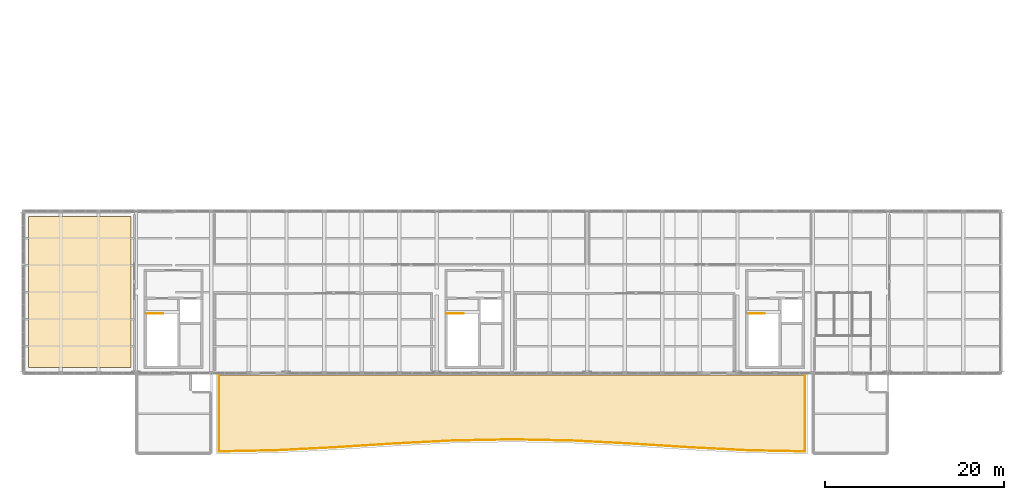
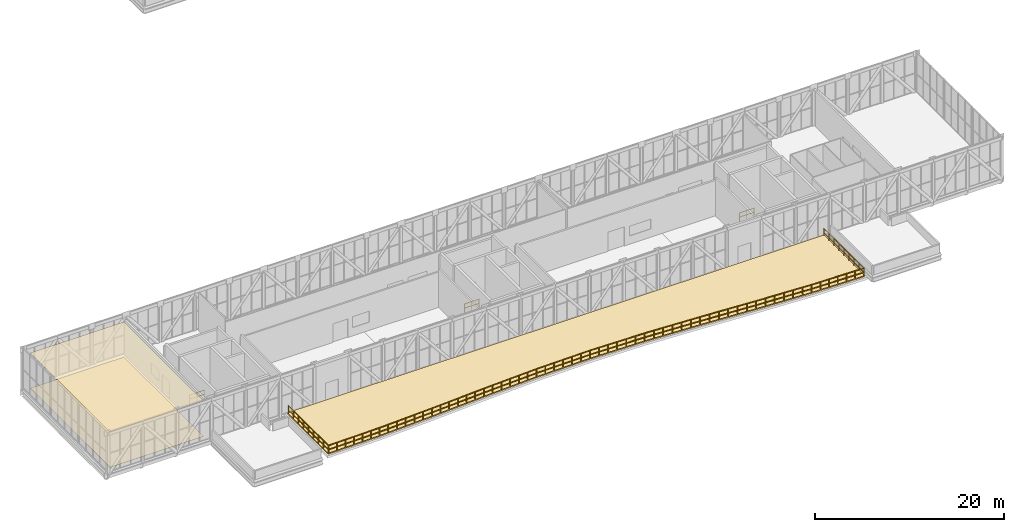
# One storey, part 58 of 58: 15 railings, 3 coverings.
"""IFC4 building model written with IfcOpenShell, lengths in metres."""

from ifc_helpers import new_model, si_unit, direction, frame, origin, origin_2d, place, context, subcontext, project, spatial, polyline, circle, outline, extrude, material, layer, layer_set, type_object, element, save


model = new_model("IFC4")

# Units and contexts
model_context = context("Model", 3, precision=1e-05, world=origin(), true_north=direction((0.0, 1.0)))
body_context = subcontext(model_context, "Body", "Model", "MODEL_VIEW")
ifc_project = project(units=[si_unit("LENGTHUNIT", "METRE"), si_unit("AREAUNIT", "SQUARE_METRE"), si_unit("VOLUMEUNIT", "CUBIC_METRE"), si_unit("PLANEANGLEUNIT", "RADIAN"), si_unit("MASSUNIT", "GRAM", prefix="KILO")], contexts=[model_context])

# Site, building, storey
site_placement = place(None, origin())
site = spatial("IfcSite", under=ifc_project, at=site_placement, CompositionType="ELEMENT")
building_placement = place(site_placement, origin())
building = spatial("IfcBuilding", under=site, at=building_placement, Name="Khurvash Pelagic Aquarium", CompositionType="ELEMENT")
storey_placement = place(building_placement, frame((0.0, 0.0, 24.60009765625)))
storey = spatial("IfcBuildingStorey", under=building, at=storey_placement, Name="L05", CompositionType="ELEMENT", Elevation=24.60009765625)

# Railings
ifc_material_1 = material(Name="Laminated glass and stainless steel 316", Category="steel")
railing_type_1 = type_object("IfcRailingType", Name="BL-01", PredefinedType="BALUSTRADE", material=ifc_material_1)
railing_1_placement = place(storey_placement, frame((99.919921875, 2.885986328125, 0.0)))
element("IfcRailing", 1, at=railing_1_placement, inside=storey, type_object=railing_type_1, Name="L05 Planted Terrace Perimeter Balustrade BL-01 0078", PredefinedType="BALUSTRADE", context=body_context, shape_type="SweptSolid", body=[
    extrude(circle(Radius=0.02392578125, at=origin_2d()), frame((0.0, 0.0, 1.076171875), z_axis=(-0.999809912237, 0.019497163698, 0.0), x_axis=(-0.019497163698, -0.999809912237, 0.0)), (0.0, 0.0, 1.0), 6.31103515625),
    extrude(circle(Radius=0.02392578125, at=origin_2d()), frame((0.0, 0.0, 0.5380859375), z_axis=(-0.999809912237, 0.019497163698, 0.0), x_axis=(-0.019497163698, -0.999809912237, 0.0)), (0.0, 0.0, 1.0), 6.31103515625),
    extrude(circle(Radius=0.02099609375, at=origin_2d()), origin(), (0.0, 0.0, 1.0), 1.052001953125),
    extrude(circle(Radius=0.02099609375, at=origin_2d()), frame((-1.0517578125, 0.0205078125, 0.0)), (0.0, 0.0, 1.0), 1.052001953125),
    extrude(circle(Radius=0.02099609375, at=origin_2d()), frame((-2.103271484375, 0.041015625, 0.0)), (0.0, 0.0, 1.0), 1.052001953125),
    extrude(circle(Radius=0.02099609375, at=origin_2d()), frame((-3.15478515625, 0.0615234375, 0.0)), (0.0, 0.0, 1.0), 1.052001953125),
    extrude(circle(Radius=0.02099609375, at=origin_2d()), frame((-4.20654296875, 0.08203125, 0.0)), (0.0, 0.0, 1.0), 1.052001953125),
    extrude(circle(Radius=0.02099609375, at=origin_2d()), frame((-5.25830078125, 0.1025390625, 0.0)), (0.0, 0.0, 1.0), 1.052001953125),
    extrude(circle(Radius=0.02099609375, at=origin_2d()), frame((-6.309814453125, 0.123046875, 0.0)), (0.0, 0.0, 1.0), 1.052001953125),
])
railing_2_placement = place(storey_placement, frame((93.610107421875, 3.009033203125, 0.0)))
element("IfcRailing", 2, at=railing_2_placement, inside=storey, type_object=railing_type_1, Name="L05 Planted Terrace Perimeter Balustrade BL-01 0079", PredefinedType="BALUSTRADE", context=body_context, shape_type="SweptSolid", body=[
    extrude(circle(Radius=0.02392578125, at=origin_2d()), frame((0.0, 0.0, 1.076171875), z_axis=(-0.998697247682, 0.05102751682, 0.0), x_axis=(-0.05102751682, -0.998697247682, 0.0)), (0.0, 0.0, 1.0), 6.6025390625),
    extrude(circle(Radius=0.02392578125, at=origin_2d()), frame((0.0, 0.0, 0.5380859375), z_axis=(-0.998697247682, 0.05102751682, 0.0), x_axis=(-0.05102751682, -0.998697247682, 0.0)), (0.0, 0.0, 1.0), 6.6025390625),
    extrude(circle(Radius=0.02099609375, at=origin_2d()), origin(), (0.0, 0.0, 1.0), 1.052001953125),
    extrude(circle(Radius=0.02099609375, at=origin_2d()), frame((-1.09912109375, 0.05615234375, 0.0)), (0.0, 0.0, 1.0), 1.052001953125),
    extrude(circle(Radius=0.02099609375, at=origin_2d()), frame((-2.197998046875, 0.1123046875, 0.0)), (0.0, 0.0, 1.0), 1.052001953125),
    extrude(circle(Radius=0.02099609375, at=origin_2d()), frame((-3.296875, 0.16845703125, 0.0)), (0.0, 0.0, 1.0), 1.052001953125),
    extrude(circle(Radius=0.02099609375, at=origin_2d()), frame((-4.39599609375, 0.224609375, 0.0)), (0.0, 0.0, 1.0), 1.052001953125),
    extrude(circle(Radius=0.02099609375, at=origin_2d()), frame((-5.4951171875, 0.28076171875, 0.0)), (0.0, 0.0, 1.0), 1.052001953125),
    extrude(circle(Radius=0.02099609375, at=origin_2d()), frame((-6.593994140625, 0.3369140625, 0.0)), (0.0, 0.0, 1.0), 1.052001953125),
])
railing_3_placement = place(storey_placement, frame((87.01611328125, 3.345947265625, 0.0)))
element("IfcRailing", 3, at=railing_3_placement, inside=storey, type_object=railing_type_1, Name="L05 Planted Terrace Perimeter Balustrade BL-01 0080", PredefinedType="BALUSTRADE", context=body_context, shape_type="SweptSolid", body=[
    extrude(circle(Radius=0.02392578125, at=origin_2d()), frame((0.0, 0.0, 1.076171875), z_axis=(-0.998008943307, 0.063072569939, 0.0), x_axis=(-0.063072569939, -0.998008943307, 0.0)), (0.0, 0.0, 1.0), 6.611328125),
    extrude(circle(Radius=0.02392578125, at=origin_2d()), frame((0.0, 0.0, 0.5380859375), z_axis=(-0.998008943307, 0.063072569939, 0.0), x_axis=(-0.063072569939, -0.998008943307, 0.0)), (0.0, 0.0, 1.0), 6.611328125),
    extrude(circle(Radius=0.02099609375, at=origin_2d()), origin(), (0.0, 0.0, 1.0), 1.052001953125),
    extrude(circle(Radius=0.02099609375, at=origin_2d()), frame((-1.099609375, 0.069580078125, 0.0)), (0.0, 0.0, 1.0), 1.052001953125),
    extrude(circle(Radius=0.02099609375, at=origin_2d()), frame((-2.199462890625, 0.138916015625, 0.0)), (0.0, 0.0, 1.0), 1.052001953125),
    extrude(circle(Radius=0.02099609375, at=origin_2d()), frame((-3.299072265625, 0.20849609375, 0.0)), (0.0, 0.0, 1.0), 1.052001953125),
    extrude(circle(Radius=0.02099609375, at=origin_2d()), frame((-4.398681640625, 0.278076171875, 0.0)), (0.0, 0.0, 1.0), 1.052001953125),
    extrude(circle(Radius=0.02099609375, at=origin_2d()), frame((-5.49853515625, 0.347412109375, 0.0)), (0.0, 0.0, 1.0), 1.052001953125),
    extrude(circle(Radius=0.02099609375, at=origin_2d()), frame((-6.59814453125, 0.4169921875, 0.0)), (0.0, 0.0, 1.0), 1.052001953125),
])
railing_4_placement = place(storey_placement, frame((80.4140625, 3.763916015625, 0.0)))
element("IfcRailing", 4, at=railing_4_placement, inside=storey, type_object=railing_type_1, Name="L05 Planted Terrace Perimeter Balustrade BL-01 0081", PredefinedType="BALUSTRADE", context=body_context, shape_type="SweptSolid", body=[
    extrude(circle(Radius=0.02392578125, at=origin_2d()), frame((0.0, 0.0, 1.076171875), z_axis=(-0.998697769777, 0.05101729748, 0.0), x_axis=(-0.05101729748, -0.998697769777, 0.0)), (0.0, 0.0, 1.0), 6.608642578125),
    extrude(circle(Radius=0.02392578125, at=origin_2d()), frame((0.0, 0.0, 0.5380859375), z_axis=(-0.998697769777, 0.05101729748, 0.0), x_axis=(-0.05101729748, -0.998697769777, 0.0)), (0.0, 0.0, 1.0), 6.608642578125),
    extrude(circle(Radius=0.02099609375, at=origin_2d()), origin(), (0.0, 0.0, 1.0), 1.052001953125),
    extrude(circle(Radius=0.02099609375, at=origin_2d()), frame((-1.10009765625, 0.05615234375, 0.0)), (0.0, 0.0, 1.0), 1.052001953125),
    extrude(circle(Radius=0.02099609375, at=origin_2d()), frame((-2.199951171875, 0.1123046875, 0.0)), (0.0, 0.0, 1.0), 1.052001953125),
    extrude(circle(Radius=0.02099609375, at=origin_2d()), frame((-3.300048828125, 0.16845703125, 0.0)), (0.0, 0.0, 1.0), 1.052001953125),
    extrude(circle(Radius=0.02099609375, at=origin_2d()), frame((-4.400146484375, 0.224853515625, 0.0)), (0.0, 0.0, 1.0), 1.052001953125),
    extrude(circle(Radius=0.02099609375, at=origin_2d()), frame((-5.5, 0.281005859375, 0.0)), (0.0, 0.0, 1.0), 1.052001953125),
    extrude(circle(Radius=0.02099609375, at=origin_2d()), frame((-6.60009765625, 0.337158203125, 0.0)), (0.0, 0.0, 1.0), 1.052001953125),
])
railing_5_placement = place(storey_placement, frame((73.804931640625, 4.10107421875, 0.0)))
element("IfcRailing", 5, at=railing_5_placement, inside=storey, type_object=railing_type_1, Name="L05 Planted Terrace Perimeter Balustrade BL-01 0082", PredefinedType="BALUSTRADE", context=body_context, shape_type="SweptSolid", body=[
    extrude(circle(Radius=0.02392578125, at=origin_2d()), frame((0.0, 0.0, 1.076171875), z_axis=(-0.999809311227, 0.019527959025, 0.0), x_axis=(-0.019527959025, -0.999809311227, 0.0)), (0.0, 0.0, 1.0), 6.60107421875),
    extrude(circle(Radius=0.02392578125, at=origin_2d()), frame((0.0, 0.0, 0.5380859375), z_axis=(-0.999809311227, 0.019527959025, 0.0), x_axis=(-0.019527959025, -0.999809311227, 0.0)), (0.0, 0.0, 1.0), 6.60107421875),
    extrude(circle(Radius=0.02099609375, at=origin_2d()), origin(), (0.0, 0.0, 1.0), 1.052001953125),
    extrude(circle(Radius=0.02099609375, at=origin_2d()), frame((-1.10009765625, 0.021484375, 0.0)), (0.0, 0.0, 1.0), 1.052001953125),
    extrude(circle(Radius=0.02099609375, at=origin_2d()), frame((-2.199951171875, 0.04296875, 0.0)), (0.0, 0.0, 1.0), 1.052001953125),
    extrude(circle(Radius=0.02099609375, at=origin_2d()), frame((-3.2998046875, 0.064453125, 0.0)), (0.0, 0.0, 1.0), 1.052001953125),
    extrude(circle(Radius=0.02099609375, at=origin_2d()), frame((-4.39990234375, 0.0859375, 0.0)), (0.0, 0.0, 1.0), 1.052001953125),
    extrude(circle(Radius=0.02099609375, at=origin_2d()), frame((-5.5, 0.107421875, 0.0)), (0.0, 0.0, 1.0), 1.052001953125),
    extrude(circle(Radius=0.02099609375, at=origin_2d()), frame((-6.599853515625, 0.12890625, 0.0)), (0.0, 0.0, 1.0), 1.052001953125),
])
railing_6_placement = place(storey_placement, frame((67.195068359375, 4.22998046875, 0.0)))
element("IfcRailing", 6, at=railing_6_placement, inside=storey, type_object=railing_type_1, Name="L05 Planted Terrace Perimeter Balustrade BL-01 0083", PredefinedType="BALUSTRADE", context=body_context, shape_type="SweptSolid", body=[
    extrude(circle(Radius=0.02392578125, at=origin_2d()), frame((0.0, 0.0, 1.076171875), z_axis=(-0.99980932533, -0.019527236953, 0.0), x_axis=(0.019527236953, -0.99980932533, 0.0)), (0.0, 0.0, 1.0), 6.601318359375),
    extrude(circle(Radius=0.02392578125, at=origin_2d()), frame((0.0, 0.0, 0.5380859375), z_axis=(-0.99980932533, -0.019527236953, 0.0), x_axis=(0.019527236953, -0.99980932533, 0.0)), (0.0, 0.0, 1.0), 6.601318359375),
    extrude(circle(Radius=0.02099609375, at=origin_2d()), origin(), (0.0, 0.0, 1.0), 1.052001953125),
    extrude(circle(Radius=0.02099609375, at=origin_2d()), frame((-1.10009765625, -0.021484375, 0.0)), (0.0, 0.0, 1.0), 1.052001953125),
    extrude(circle(Radius=0.02099609375, at=origin_2d()), frame((-2.199951171875, -0.04296875, 0.0)), (0.0, 0.0, 1.0), 1.052001953125),
    extrude(circle(Radius=0.02099609375, at=origin_2d()), frame((-3.300048828125, -0.064453125, 0.0)), (0.0, 0.0, 1.0), 1.052001953125),
    extrude(circle(Radius=0.02099609375, at=origin_2d()), frame((-4.400146484375, -0.0859375, 0.0)), (0.0, 0.0, 1.0), 1.052001953125),
    extrude(circle(Radius=0.02099609375, at=origin_2d()), frame((-5.5, -0.107421875, 0.0)), (0.0, 0.0, 1.0), 1.052001953125),
    extrude(circle(Radius=0.02099609375, at=origin_2d()), frame((-6.60009765625, -0.12890625, 0.0)), (0.0, 0.0, 1.0), 1.052001953125),
])
railing_7_placement = place(storey_placement, frame((60.5859375, 4.10107421875, 0.0)))
element("IfcRailing", 7, at=railing_7_placement, inside=storey, type_object=railing_type_1, Name="L05 Planted Terrace Perimeter Balustrade BL-01 0084", PredefinedType="BALUSTRADE", context=body_context, shape_type="SweptSolid", body=[
    extrude(circle(Radius=0.02392578125, at=origin_2d()), frame((0.0, 0.0, 1.076171875), z_axis=(-0.99869767362, -0.05101917979, 0.0), x_axis=(0.05101917979, -0.99869767362, 0.0)), (0.0, 0.0, 1.0), 6.6083984375),
    extrude(circle(Radius=0.02392578125, at=origin_2d()), frame((0.0, 0.0, 0.5380859375), z_axis=(-0.99869767362, -0.05101917979, 0.0), x_axis=(0.05101917979, -0.99869767362, 0.0)), (0.0, 0.0, 1.0), 6.6083984375),
    extrude(circle(Radius=0.02099609375, at=origin_2d()), origin(), (0.0, 0.0, 1.0), 1.052001953125),
    extrude(circle(Radius=0.02099609375, at=origin_2d()), frame((-1.10009765625, -0.05615234375, 0.0)), (0.0, 0.0, 1.0), 1.052001953125),
    extrude(circle(Radius=0.02099609375, at=origin_2d()), frame((-2.199951171875, -0.1123046875, 0.0)), (0.0, 0.0, 1.0), 1.052001953125),
    extrude(circle(Radius=0.02099609375, at=origin_2d()), frame((-3.2998046875, -0.16845703125, 0.0)), (0.0, 0.0, 1.0), 1.052001953125),
    extrude(circle(Radius=0.02099609375, at=origin_2d()), frame((-4.39990234375, -0.224853515625, 0.0)), (0.0, 0.0, 1.0), 1.052001953125),
    extrude(circle(Radius=0.02099609375, at=origin_2d()), frame((-5.5, -0.281005859375, 0.0)), (0.0, 0.0, 1.0), 1.052001953125),
    extrude(circle(Radius=0.02099609375, at=origin_2d()), frame((-6.599853515625, -0.337158203125, 0.0)), (0.0, 0.0, 1.0), 1.052001953125),
])
railing_8_placement = place(storey_placement, frame((53.98193359375, 3.762939453125, 0.0)))
element("IfcRailing", 8, at=railing_8_placement, inside=storey, type_object=railing_type_1, Name="L05 Planted Terrace Perimeter Balustrade BL-01 0085", PredefinedType="BALUSTRADE", context=body_context, shape_type="SweptSolid", body=[
    extrude(circle(Radius=0.02392578125, at=origin_2d()), frame((0.0, 0.0, 1.076171875), z_axis=(-0.998008796395, -0.063074894514, 0.0), x_axis=(0.063074894514, -0.998008796395, 0.0)), (0.0, 0.0, 1.0), 6.611083984375),
    extrude(circle(Radius=0.02392578125, at=origin_2d()), frame((0.0, 0.0, 0.5380859375), z_axis=(-0.998008796395, -0.063074894514, 0.0), x_axis=(0.063074894514, -0.998008796395, 0.0)), (0.0, 0.0, 1.0), 6.611083984375),
    extrude(circle(Radius=0.02099609375, at=origin_2d()), origin(), (0.0, 0.0, 1.0), 1.052001953125),
    extrude(circle(Radius=0.02099609375, at=origin_2d()), frame((-1.099609375, -0.069580078125, 0.0)), (0.0, 0.0, 1.0), 1.052001953125),
    extrude(circle(Radius=0.02099609375, at=origin_2d()), frame((-2.19921875, -0.138916015625, 0.0)), (0.0, 0.0, 1.0), 1.052001953125),
    extrude(circle(Radius=0.02099609375, at=origin_2d()), frame((-3.298828125, -0.20849609375, 0.0)), (0.0, 0.0, 1.0), 1.052001953125),
    extrude(circle(Radius=0.02099609375, at=origin_2d()), frame((-4.398681640625, -0.278076171875, 0.0)), (0.0, 0.0, 1.0), 1.052001953125),
    extrude(circle(Radius=0.02099609375, at=origin_2d()), frame((-5.498291015625, -0.347412109375, 0.0)), (0.0, 0.0, 1.0), 1.052001953125),
    extrude(circle(Radius=0.02099609375, at=origin_2d()), frame((-6.597900390625, -0.4169921875, 0.0)), (0.0, 0.0, 1.0), 1.052001953125),
])
railing_9_placement = place(storey_placement, frame((47.384033203125, 3.345947265625, 0.0)))
element("IfcRailing", 9, at=railing_9_placement, inside=storey, type_object=railing_type_1, Name="L05 Planted Terrace Perimeter Balustrade BL-01 0086", PredefinedType="BALUSTRADE", context=body_context, shape_type="SweptSolid", body=[
    extrude(circle(Radius=0.02392578125, at=origin_2d()), frame((0.0, 0.0, 1.076171875), z_axis=(-0.998697247682, -0.05102751682, 0.0), x_axis=(0.05102751682, -0.998697247682, 0.0)), (0.0, 0.0, 1.0), 6.6025390625),
    extrude(circle(Radius=0.02392578125, at=origin_2d()), frame((0.0, 0.0, 0.5380859375), z_axis=(-0.998697247682, -0.05102751682, 0.0), x_axis=(0.05102751682, -0.998697247682, 0.0)), (0.0, 0.0, 1.0), 6.6025390625),
    extrude(circle(Radius=0.02099609375, at=origin_2d()), origin(), (0.0, 0.0, 1.0), 1.052001953125),
    extrude(circle(Radius=0.02099609375, at=origin_2d()), frame((-1.09912109375, -0.05615234375, 0.0)), (0.0, 0.0, 1.0), 1.052001953125),
    extrude(circle(Radius=0.02099609375, at=origin_2d()), frame((-2.197998046875, -0.1123046875, 0.0)), (0.0, 0.0, 1.0), 1.052001953125),
    extrude(circle(Radius=0.02099609375, at=origin_2d()), frame((-3.296875, -0.16845703125, 0.0)), (0.0, 0.0, 1.0), 1.052001953125),
    extrude(circle(Radius=0.02099609375, at=origin_2d()), frame((-4.39599609375, -0.224609375, 0.0)), (0.0, 0.0, 1.0), 1.052001953125),
    extrude(circle(Radius=0.02099609375, at=origin_2d()), frame((-5.4951171875, -0.28076171875, 0.0)), (0.0, 0.0, 1.0), 1.052001953125),
    extrude(circle(Radius=0.02099609375, at=origin_2d()), frame((-6.593994140625, -0.3369140625, 0.0)), (0.0, 0.0, 1.0), 1.052001953125),
])
railing_10_placement = place(storey_placement, frame((40.7900390625, 3.009033203125, 0.0)))
element("IfcRailing", 10, at=railing_10_placement, inside=storey, type_object=railing_type_1, Name="L05 Planted Terrace Perimeter Balustrade BL-01 0087", PredefinedType="BALUSTRADE", context=body_context, shape_type="SweptSolid", body=[
    extrude(circle(Radius=0.02392578125, at=origin_2d()), frame((0.0, 0.0, 1.076171875), z_axis=(-0.999809926942, -0.019496409625, 0.0), x_axis=(0.019496409625, -0.999809926942, 0.0)), (0.0, 0.0, 1.0), 6.311279296875),
    extrude(circle(Radius=0.02392578125, at=origin_2d()), frame((0.0, 0.0, 0.5380859375), z_axis=(-0.999809926942, -0.019496409625, 0.0), x_axis=(0.019496409625, -0.999809926942, 0.0)), (0.0, 0.0, 1.0), 6.311279296875),
    extrude(circle(Radius=0.02099609375, at=origin_2d()), origin(), (0.0, 0.0, 1.0), 1.052001953125),
    extrude(circle(Radius=0.02099609375, at=origin_2d()), frame((-1.0517578125, -0.0205078125, 0.0)), (0.0, 0.0, 1.0), 1.052001953125),
    extrude(circle(Radius=0.02099609375, at=origin_2d()), frame((-2.103271484375, -0.041015625, 0.0)), (0.0, 0.0, 1.0), 1.052001953125),
    extrude(circle(Radius=0.02099609375, at=origin_2d()), frame((-3.155029296875, -0.0615234375, 0.0)), (0.0, 0.0, 1.0), 1.052001953125),
    extrude(circle(Radius=0.02099609375, at=origin_2d()), frame((-4.206787109375, -0.08203125, 0.0)), (0.0, 0.0, 1.0), 1.052001953125),
    extrude(circle(Radius=0.02099609375, at=origin_2d()), frame((-5.25830078125, -0.1025390625, 0.0)), (0.0, 0.0, 1.0), 1.052001953125),
    extrude(circle(Radius=0.02099609375, at=origin_2d()), frame((-6.31005859375, -0.123046875, 0.0)), (0.0, 0.0, 1.0), 1.052001953125),
])
railing_11_placement = place(storey_placement, frame((34.47998046875, 2.885986328125, 0.0)))
element("IfcRailing", 11, at=railing_11_placement, inside=storey, type_object=railing_type_1, Name="L05 Planted Terrace Perimeter Balustrade BL-01 0088", PredefinedType="BALUSTRADE", context=body_context, shape_type="SweptSolid", body=[
    extrude(circle(Radius=0.02392578125, at=origin_2d()), frame((0.0, 0.0, 1.076171875), z_axis=(0.0, 1.0, 0.0), x_axis=(-1.0, 0.0, 0.0)), (0.0, 0.0, 1.0), 8.484130859375),
    extrude(circle(Radius=0.02392578125, at=origin_2d()), frame((0.0, 0.0, 0.5380859375), z_axis=(0.0, 1.0, 0.0), x_axis=(-1.0, 0.0, 0.0)), (0.0, 0.0, 1.0), 8.484130859375),
    extrude(circle(Radius=0.02099609375, at=origin_2d()), origin(), (0.0, 0.0, 1.0), 1.052001953125),
    extrude(circle(Radius=0.02099609375, at=origin_2d()), frame((0.0, 1.060546875, 0.0)), (0.0, 0.0, 1.0), 1.052001953125),
    extrude(circle(Radius=0.02099609375, at=origin_2d()), frame((0.0, 2.12109375, 0.0)), (0.0, 0.0, 1.0), 1.052001953125),
    extrude(circle(Radius=0.02099609375, at=origin_2d()), frame((0.0, 3.181640625, 0.0)), (0.0, 0.0, 1.0), 1.052001953125),
    extrude(circle(Radius=0.02099609375, at=origin_2d()), frame((0.0, 4.2421875, 0.0)), (0.0, 0.0, 1.0), 1.052001953125),
    extrude(circle(Radius=0.02099609375, at=origin_2d()), frame((0.0, 5.302490234375, 0.0)), (0.0, 0.0, 1.0), 1.052001953125),
    extrude(circle(Radius=0.02099609375, at=origin_2d()), frame((0.0, 6.363037109375, 0.0)), (0.0, 0.0, 1.0), 1.052001953125),
    extrude(circle(Radius=0.02099609375, at=origin_2d()), frame((0.0, 7.423583984375, 0.0)), (0.0, 0.0, 1.0), 1.052001953125),
    extrude(circle(Radius=0.02099609375, at=origin_2d()), frame((0.0, 8.484130859375, 0.0)), (0.0, 0.0, 1.0), 1.052001953125),
])
railing_12_placement = place(storey_placement, frame((99.919921875, 11.3701171875, 0.0)))
element("IfcRailing", 12, at=railing_12_placement, inside=storey, type_object=railing_type_1, Name="L05 Planted Terrace Perimeter Balustrade BL-01 0089", PredefinedType="BALUSTRADE", context=body_context, shape_type="SweptSolid", body=[
    extrude(circle(Radius=0.02392578125, at=origin_2d()), frame((0.0, 0.0, 1.076171875), z_axis=(0.0, -1.0, 0.0), x_axis=(1.0, 0.0, 0.0)), (0.0, 0.0, 1.0), 8.484130859375),
    extrude(circle(Radius=0.02392578125, at=origin_2d()), frame((0.0, 0.0, 0.5380859375), z_axis=(0.0, -1.0, 0.0), x_axis=(1.0, 0.0, 0.0)), (0.0, 0.0, 1.0), 8.484130859375),
    extrude(circle(Radius=0.02099609375, at=origin_2d()), origin(), (0.0, 0.0, 1.0), 1.052001953125),
    extrude(circle(Radius=0.02099609375, at=origin_2d()), frame((0.0, -1.060546875, 0.0)), (0.0, 0.0, 1.0), 1.052001953125),
    extrude(circle(Radius=0.02099609375, at=origin_2d()), frame((0.0, -2.12109375, 0.0)), (0.0, 0.0, 1.0), 1.052001953125),
    extrude(circle(Radius=0.02099609375, at=origin_2d()), frame((0.0, -3.181640625, 0.0)), (0.0, 0.0, 1.0), 1.052001953125),
    extrude(circle(Radius=0.02099609375, at=origin_2d()), frame((0.0, -4.2421875, 0.0)), (0.0, 0.0, 1.0), 1.052001953125),
    extrude(circle(Radius=0.02099609375, at=origin_2d()), frame((0.0, -5.302490234375, 0.0)), (0.0, 0.0, 1.0), 1.052001953125),
    extrude(circle(Radius=0.02099609375, at=origin_2d()), frame((0.0, -6.363037109375, 0.0)), (0.0, 0.0, 1.0), 1.052001953125),
    extrude(circle(Radius=0.02099609375, at=origin_2d()), frame((0.0, -7.423583984375, 0.0)), (0.0, 0.0, 1.0), 1.052001953125),
    extrude(circle(Radius=0.02099609375, at=origin_2d()), frame((0.0, -8.484130859375, 0.0)), (0.0, 0.0, 1.0), 1.052001953125),
])

# Coverings
ifc_material_2 = material(Name="Moisture-resistant acoustic mineral-fibre ceiling", Category="finish")
ifc_layer_1 = layer(ifc_material_2, 0.02490234375)
ifc_layer_set_1 = layer_set([ifc_layer_1], Name="Moisture-resistant acoustic mineral-fibre ceiling")
covering_type_1 = type_object("IfcCoveringType", Name="CV-CLG", PredefinedType="CEILING", material=ifc_layer_set_1)
covering_1_placement = place(storey_placement, frame((0.0, 0.0, 4.54296875)))
element("IfcCovering", 13, at=covering_1_placement, inside=storey, type_object=covering_type_1, Name="L05 West Cantilever Sky Viewing Lounge Suspended Acoustic Ceiling", PredefinedType="CEILING", context=body_context, shape_type="SweptSolid", body=[
    extrude(outline(polyline([(24.64990234375, 12.25), (24.64990234375, 29.14990234375), (13.199951171875, 29.14990234375), (13.199951171875, 12.25), (24.64990234375, 12.25)])), origin(), (0.0, 0.0, 1.0), 0.02490234375),
])
ifc_material_3 = material(Name="Slip-resistant terrazzo and epoxy resin flooring", Category="finish")
ifc_layer_2 = layer(ifc_material_3, 0.02001953125)
ifc_layer_set_2 = layer_set([ifc_layer_2], Name="Slip-resistant terrazzo and epoxy resin flooring")
covering_type_2 = type_object("IfcCoveringType", Name="CV-FLR", PredefinedType="FLOORING", material=ifc_layer_set_2)
covering_2_placement = place(storey_placement, origin())
element("IfcCovering", 14, at=covering_2_placement, inside=storey, type_object=covering_type_2, Name="L05 West Cantilever Sky Viewing Lounge Terrazzo Floor Finish", PredefinedType="FLOORING", context=body_context, shape_type="SweptSolid", body=[
    extrude(outline(polyline([(24.64990234375, 12.25), (24.64990234375, 29.14990234375), (13.199951171875, 29.14990234375), (13.199951171875, 12.25), (24.64990234375, 12.25)])), origin(), (0.0, 0.0, 1.0), 0.02001953125),
])
ifc_material_4 = material(Name="Vegetated monsoon-retention substrate and drainage mat", Category="earth")
ifc_layer_3 = layer(ifc_material_4, 0.14990234375)
ifc_layer_set_3 = layer_set([ifc_layer_3], Name="Vegetated monsoon-retention substrate and drainage mat")
covering_type_3 = type_object("IfcCoveringType", Name="CV-RF02", PredefinedType="ROOFING", material=ifc_layer_set_3)
covering_3_placement = place(storey_placement, origin())
element("IfcCovering", 15, at=covering_3_placement, inside=storey, type_object=covering_type_3, Name="L05 Monsoon Retention Terrace Substrate TERR_L05_S", PredefinedType="ROOFING", context=body_context, shape_type="SweptSolid", body=[
    extrude(outline(polyline([(100.0, 2.803955078125), (93.60693359375, 2.928955078125), (87.010986328125, 3.26611328125), (80.4130859375, 3.68408203125), (80.409912109375, 3.68408203125), (73.81005859375, 4.02099609375), (73.803955078125, 4.02099609375), (67.2041015625, 4.14990234375), (67.196044921875, 4.14990234375), (60.595947265625, 4.02099609375), (60.590087890625, 4.02099609375), (53.989990234375, 3.68408203125), (53.987060546875, 3.68408203125), (47.388916015625, 3.26611328125), (40.79296875, 2.928955078125), (34.39990234375, 2.803955078125), (34.39990234375, 11.449951171875), (100.0, 11.449951171875), (100.0, 2.803955078125)])), origin(), (0.0, 0.0, 1.0), 0.14990234375),
])

# Railings
ifc_material_5 = material(Name="Powder-coated galvanised steel S355J2", Category="steel")
railing_type_2 = type_object("IfcRailingType", Name="GR-01", PredefinedType="GUARDRAIL", material=ifc_material_5)
for number, where, name in (
    (16, (26.39990234375, 18.300048828125, 0.0), "L05 ST-01 top well guard 1"),
    (17, (60.0, 18.300048828125, 0.0), "L05 ST-02 top well guard 1"),
):
    element("IfcRailing", number, at=place(storey_placement, frame(where)), inside=storey, type_object=railing_type_2, Name=name, PredefinedType="GUARDRAIL", context=body_context, shape_type="SweptSolid", body=[
        extrude(circle(Radius=0.02392578125, at=origin_2d()), frame((0.0, 0.0, 1.076171875), z_axis=(1.0, 0.0, 0.0), x_axis=(0.0, 1.0, 0.0)), (0.0, 0.0, 1.0), 1.800048828125),
        extrude(circle(Radius=0.02392578125, at=origin_2d()), frame((0.0, 0.0, 0.5380859375), z_axis=(1.0, 0.0, 0.0), x_axis=(0.0, 1.0, 0.0)), (0.0, 0.0, 1.0), 1.800048828125),
        extrude(circle(Radius=0.02099609375, at=origin_2d()), origin(), (0.0, 0.0, 1.0), 1.052001953125),
        extrude(circle(Radius=0.02099609375, at=origin_2d()), frame((0.89990234375, 0.0, 0.0)), (0.0, 0.0, 1.0), 1.052001953125),
        extrude(circle(Radius=0.02099609375, at=origin_2d()), frame((1.800048828125, 0.0, 0.0)), (0.0, 0.0, 1.0), 1.052001953125),
    ])
railing_13_placement = place(storey_placement, frame((93.60009765625, 18.300048828125, 0.0)))
element("IfcRailing", 18, at=railing_13_placement, inside=storey, type_object=railing_type_2, Name="L05 ST-03 top well guard 1", PredefinedType="GUARDRAIL", context=body_context, shape_type="SweptSolid", body=[
    extrude(circle(Radius=0.02392578125, at=origin_2d()), frame((0.0, 0.0, 1.076171875), z_axis=(1.0, 0.0, 0.0), x_axis=(0.0, 1.0, 0.0)), (0.0, 0.0, 1.0), 1.7998046875),
    extrude(circle(Radius=0.02392578125, at=origin_2d()), frame((0.0, 0.0, 0.5380859375), z_axis=(1.0, 0.0, 0.0), x_axis=(0.0, 1.0, 0.0)), (0.0, 0.0, 1.0), 1.7998046875),
    extrude(circle(Radius=0.02099609375, at=origin_2d()), origin(), (0.0, 0.0, 1.0), 1.052001953125),
    extrude(circle(Radius=0.02099609375, at=origin_2d()), frame((0.89990234375, 0.0, 0.0)), (0.0, 0.0, 1.0), 1.052001953125),
    extrude(circle(Radius=0.02099609375, at=origin_2d()), frame((1.7998046875, 0.0, 0.0)), (0.0, 0.0, 1.0), 1.052001953125),
])

save(model, "model.ifc")
